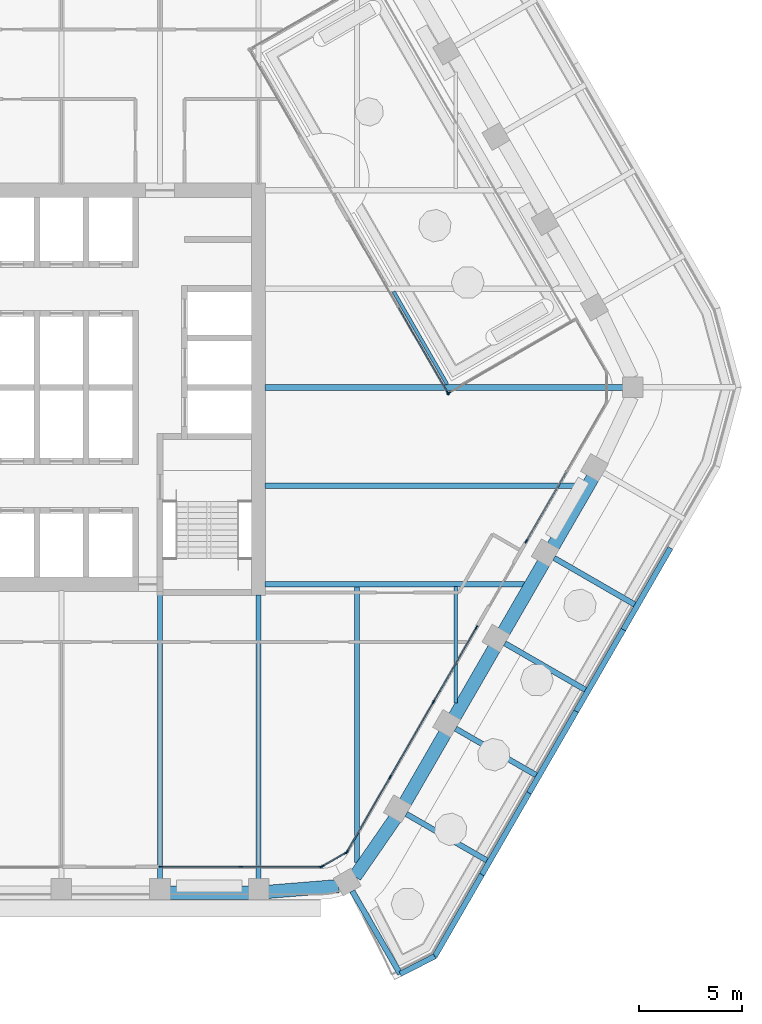
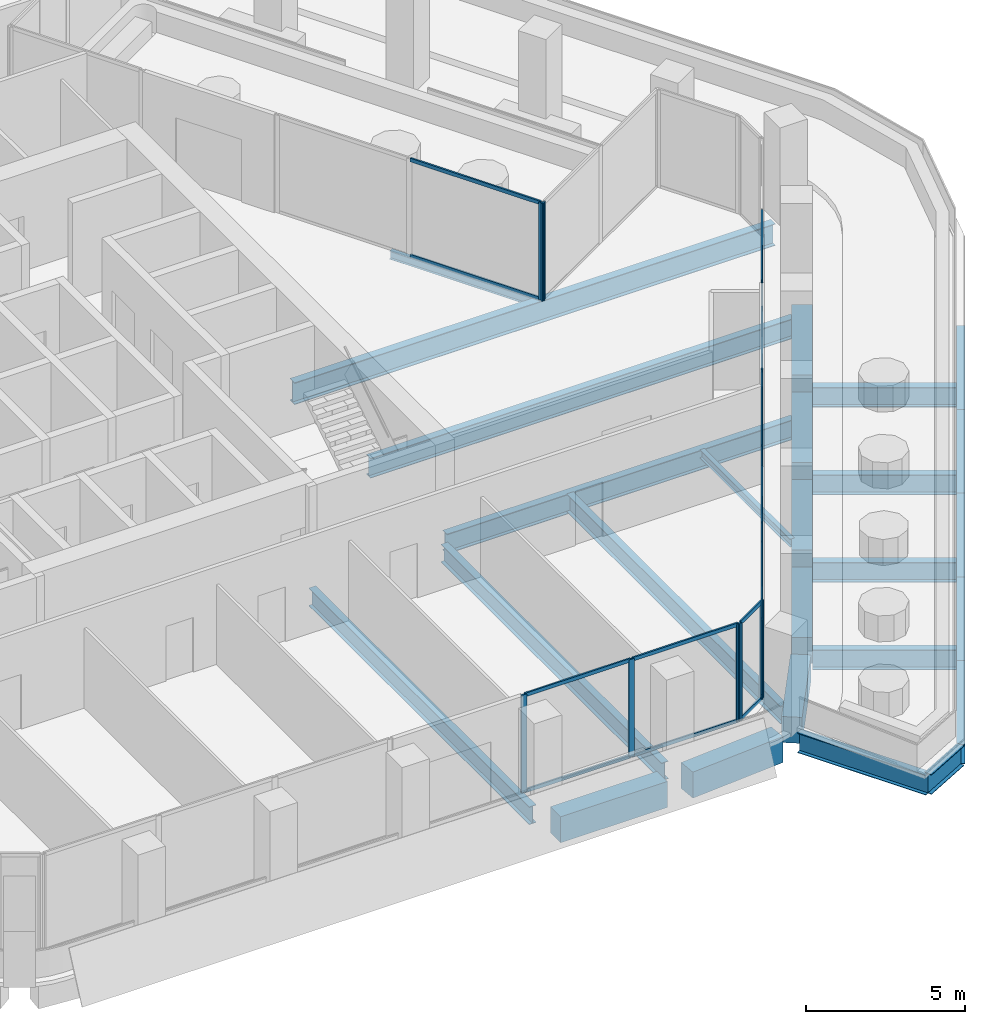
# One storey, part 4 of 17: 28 members, 26 beams, 6 elements without a shape of their own.
"""IFC4 building model written with IfcOpenShell, lengths in metres."""

from ifc_helpers import new_model, si_unit, direction, frame, origin, origin_2d, place, context, subcontext, project, spatial, rectangle, i_section, extrude, material, material_profile, profile_set, type_object, element, aggregate, save


model = new_model("IFC4")

# Units and contexts
model_context = context("Model", 3, precision=1e-05, world=origin(), true_north=direction((0.0, 1.0)))
body_context = subcontext(model_context, "Body", "Model", "MODEL_VIEW")
ifc_project = project(units=[si_unit("LENGTHUNIT", "METRE"), si_unit("AREAUNIT", "SQUARE_METRE"), si_unit("VOLUMEUNIT", "CUBIC_METRE"), si_unit("PLANEANGLEUNIT", "RADIAN"), si_unit("MASSUNIT", "GRAM", prefix="KILO")], contexts=[model_context])

# Site, building, storey
site_placement = place(None, origin())
site = spatial("IfcSite", under=ifc_project, at=site_placement, CompositionType="ELEMENT")
building_placement = place(site_placement, origin())
building = spatial("IfcBuilding", under=site, at=building_placement, Name="Kolab Exchange Tower", CompositionType="ELEMENT")
storey_placement = place(building_placement, frame((0.0, 0.0, 181.699951171875)))
storey = spatial("IfcBuildingStorey", under=building, at=storey_placement, Name="L38", CompositionType="ELEMENT", Elevation=181.699951171875)

# Beams
ifc_material_1 = material(Name="Steel S355", Category="steel")
ifc_material_profile_1 = material_profile(ifc_material_1, i_section(OverallWidth=0.1650390625, OverallDepth=0.31005859375, WebThickness=0.005859375, FlangeThickness=0.009765625, at=origin_2d()), Name="W310X39")
ifc_profile_set_1 = profile_set([ifc_material_profile_1], Name="Steel S355")
beam_type_1 = type_object("IfcBeamType", Name="FLOOR BEAM W310X39", PredefinedType="BEAM", material=ifc_profile_set_1)
beam_1_placement = place(storey_placement, frame((16.18115234375, 4.66650390625, -0.304931640625), z_axis=(0.499992367345, -0.866029810455, 0.0), x_axis=(0.866029810455, 0.499992367345, 0.0)))
element("IfcBeam", 1, at=beam_1_placement, inside=storey, type_object=beam_type_1, Name="beam/L38/fr/024", PredefinedType="BEAM", context=body_context, shape_type="SweptSolid", body=[
    extrude(i_section(OverallWidth=0.1650390625, OverallDepth=0.31005859375, WebThickness=0.005859375, FlangeThickness=0.009765625, at=origin_2d()), origin(), (0.0, 0.0, 1.0), 5.2197265625),
])
beam_2_placement = place(storey_placement, frame((19.199951171875, -15.36767578125, -0.304931640625), z_axis=(0.0, 1.0, 0.0), x_axis=(-1.0, 0.0, 0.0)))
element("IfcBeam", 2, at=beam_2_placement, inside=storey, type_object=beam_type_1, Name="beam/L38/fr/025", PredefinedType="BEAM", context=body_context, shape_type="SweptSolid", body=[
    extrude(i_section(OverallWidth=0.1650390625, OverallDepth=0.31005859375, WebThickness=0.005859375, FlangeThickness=0.009765625, at=origin_2d()), origin(), (0.0, 0.0, 1.0), 5.674072265625),
])
ifc_material_profile_2 = material_profile(ifc_material_1, i_section(OverallWidth=0.25390625, OverallDepth=0.68408203125, WebThickness=0.012451171875, FlangeThickness=0.018798828125, at=origin_2d()), Name="W690X140")
ifc_profile_set_2 = profile_set([ifc_material_profile_2], Name="Steel S355")
beam_type_2 = type_object("IfcBeamType", Name="FLOOR BEAM W690X140", PredefinedType="BEAM", material=ifc_profile_set_2)
for number, where, z_axis, x_axis, name in (
    (3, (4.800048828125, -23.9814453125, -0.491943359375), (0.0, 1.0, 0.0), (-1.0, 0.0, 0.0), "beam/L38/fr/013"),
    (4, (9.60009765625, -23.9814453125, -0.491943359375), (0.0, 1.0, 0.0), (-1.0, 0.0, 0.0), "beam/L38/fr/015"),
):
    element("IfcBeam", number, at=place(storey_placement, frame(where, z_axis=z_axis, x_axis=x_axis)), inside=storey, type_object=beam_type_2, Name=name, PredefinedType="BEAM", context=body_context, shape_type="SweptSolid", body=[
        extrude(i_section(OverallWidth=0.25390625, OverallDepth=0.68408203125, WebThickness=0.012451171875, FlangeThickness=0.018798828125, at=origin_2d()), origin(), (0.0, 0.0, 1.0), 13.871337890625),
    ])
beam_3_placement = place(storey_placement, frame((14.39990234375, -23.15576171875, -0.491943359375), z_axis=(0.0, 1.0, 0.0), x_axis=(-1.0, 0.0, 0.0)))
element("IfcBeam", 5, at=beam_3_placement, inside=storey, type_object=beam_type_2, Name="beam/L38/fr/022", PredefinedType="BEAM", context=body_context, shape_type="SweptSolid", body=[
    extrude(i_section(OverallWidth=0.25390625, OverallDepth=0.68408203125, WebThickness=0.012451171875, FlangeThickness=0.018798828125, at=origin_2d()), origin(), (0.0, 0.0, 1.0), 13.462158203125),
])
ifc_material_profile_3 = material_profile(ifc_material_1, i_section(OverallWidth=0.26708984375, OverallDepth=0.761962890625, WebThickness=0.014404296875, FlangeThickness=0.021484375, at=origin_2d()), Name="W760X173")
ifc_profile_set_3 = profile_set([ifc_material_profile_3], Name="Steel S355")
beam_type_3 = type_object("IfcBeamType", Name="FLOOR BEAM W760X173", PredefinedType="BEAM", material=ifc_profile_set_3)
beam_4_placement = place(storey_placement, frame((9.909912109375, -4.800048828125, -0.531005859375), z_axis=(1.0, 0.0, 0.0), x_axis=(0.0, 1.0, 0.0)))
element("IfcBeam", 6, at=beam_4_placement, inside=storey, type_object=beam_type_3, Name="beam/L38/fr/018", PredefinedType="BEAM", context=body_context, shape_type="SweptSolid", body=[
    extrude(i_section(OverallWidth=0.26708984375, OverallDepth=0.761962890625, WebThickness=0.014404296875, FlangeThickness=0.021484375, at=origin_2d()), origin(), (0.0, 0.0, 1.0), 15.408203125),
])
ifc_material_profile_4 = material_profile(ifc_material_1, i_section(OverallWidth=0.2919921875, OverallDepth=0.840087890625, WebThickness=0.0146484375, FlangeThickness=0.021728515625, at=origin_2d()), Name="W840X193")
ifc_profile_set_4 = profile_set([ifc_material_profile_4], Name="Steel S355")
beam_type_4 = type_object("IfcBeamType", Name="FLOOR BEAM W840X193", PredefinedType="BEAM", material=ifc_profile_set_4)
beam_5_placement = place(storey_placement, frame((9.909912109375, 0.0, -0.570068359375), z_axis=(1.0, 0.0, 0.0), x_axis=(0.0, 1.0, 0.0)))
element("IfcBeam", 7, at=beam_5_placement, inside=storey, type_object=beam_type_4, Name="beam/L38/fr/019", PredefinedType="BEAM", context=body_context, shape_type="SweptSolid", body=[
    extrude(i_section(OverallWidth=0.2919921875, OverallDepth=0.840087890625, WebThickness=0.0146484375, FlangeThickness=0.021728515625, at=origin_2d()), origin(), (0.0, 0.0, 1.0), 17.466064453125),
])
ifc_material_profile_5 = material_profile(ifc_material_1, i_section(OverallWidth=0.26708984375, OverallDepth=0.761962890625, WebThickness=0.014404296875, FlangeThickness=0.021484375, at=origin_2d()), Name="W760X173")
ifc_profile_set_5 = profile_set([ifc_material_profile_5], Name="Steel S355")
beam_type_5 = type_object("IfcBeamType", Name="FLOOR GIRDER W760X173", PredefinedType="BEAM", material=ifc_profile_set_5)
beam_6_placement = place(storey_placement, frame((9.909912109375, -9.60009765625, -0.531005859375), z_axis=(1.0, 0.0, 0.0), x_axis=(0.0, 1.0, 0.0)))
element("IfcBeam", 8, at=beam_6_placement, inside=storey, type_object=beam_type_5, Name="beam/L38/gd/002", PredefinedType="BEAM", context=body_context, shape_type="SweptSolid", body=[
    extrude(i_section(OverallWidth=0.26708984375, OverallDepth=0.761962890625, WebThickness=0.014404296875, FlangeThickness=0.021484375, at=origin_2d()), origin(), (0.0, 0.0, 1.0), 12.636962890625),
])
beam_7_placement = place(storey_placement, frame((24.0, -8.313720703125, -0.591064453125), z_axis=(0.866020560687, -0.500008388397, 0.0), x_axis=(0.500008388397, 0.866020560687, 0.0)))
element("IfcBeam", 9, at=beam_7_placement, inside=storey, type_object=beam_type_5, Name="beam/L38/ledge/rib-08", PredefinedType="BEAM", context=body_context, shape_type="SweptSolid", body=[
    extrude(i_section(OverallWidth=0.26708984375, OverallDepth=0.761962890625, WebThickness=0.014404296875, FlangeThickness=0.021484375, at=origin_2d()), origin(), (0.0, 0.0, 1.0), 4.533203125),
])
beam_8_placement = place(storey_placement, frame((21.60009765625, -12.470703125, -0.591064453125), z_axis=(0.866007095043, -0.500031710329, 0.0), x_axis=(0.500031710329, 0.866007095043, 0.0)))
element("IfcBeam", 10, at=beam_8_placement, inside=storey, type_object=beam_type_5, Name="beam/L38/ledge/rib-09", PredefinedType="BEAM", context=body_context, shape_type="SweptSolid", body=[
    extrude(i_section(OverallWidth=0.26708984375, OverallDepth=0.761962890625, WebThickness=0.014404296875, FlangeThickness=0.021484375, at=origin_2d()), origin(), (0.0, 0.0, 1.0), 4.532958984375),
])
beam_9_placement = place(storey_placement, frame((19.199951171875, -16.627685546875, -0.591064453125), z_axis=(0.866020560687, -0.500008388397, 0.0), x_axis=(0.500008388397, 0.866020560687, 0.0)))
element("IfcBeam", 11, at=beam_9_placement, inside=storey, type_object=beam_type_5, Name="beam/L38/ledge/rib-10", PredefinedType="BEAM", context=body_context, shape_type="SweptSolid", body=[
    extrude(i_section(OverallWidth=0.26708984375, OverallDepth=0.761962890625, WebThickness=0.014404296875, FlangeThickness=0.021484375, at=origin_2d()), origin(), (0.0, 0.0, 1.0), 4.533203125),
])
beam_10_placement = place(storey_placement, frame((16.800048828125, -20.78466796875, -0.591064453125), z_axis=(0.866030417568, -0.499991315771, 0.0), x_axis=(0.499991315771, 0.866030417568, 0.0)))
element("IfcBeam", 12, at=beam_10_placement, inside=storey, type_object=beam_type_5, Name="beam/L38/ledge/rib-11", PredefinedType="BEAM", context=body_context, shape_type="SweptSolid", body=[
    extrude(i_section(OverallWidth=0.26708984375, OverallDepth=0.761962890625, WebThickness=0.014404296875, FlangeThickness=0.021484375, at=origin_2d()), origin(), (0.0, 0.0, 1.0), 4.53271484375),
])
beam_11_placement = place(storey_placement, frame((14.16796875, -24.53955078125, -0.591064453125), z_axis=(0.500004747635, -0.866022662719, 0.0), x_axis=(0.866022662719, 0.500004747635, 0.0)))
element("IfcBeam", 13, at=beam_11_placement, inside=storey, type_object=beam_type_5, Name="beam/L38/ledge/rib-12", PredefinedType="BEAM", context=body_context, shape_type="SweptSolid", body=[
    extrude(i_section(OverallWidth=0.26708984375, OverallDepth=0.761962890625, WebThickness=0.014404296875, FlangeThickness=0.021484375, at=origin_2d()), origin(), (0.0, 0.0, 1.0), 4.66650390625),
])
for number, where, z_axis, x_axis, name in (
    (14, (29.669677734375, -7.82666015625, -0.591064453125), (-0.500003083703, -0.8660236234, 0.0), (0.8660236234, -0.500003083703, 0.0), "beam/L38/ledge/edge-10"),
    (15, (27.372802734375, -11.804931640625, -0.591064453125), (-0.500003083703, -0.8660236234, 0.0), (0.8660236234, -0.500003083703, 0.0), "beam/L38/ledge/edge-11"),
    (16, (25.075927734375, -15.783203125, -0.591064453125), (-0.500003083703, -0.8660236234, 0.0), (0.8660236234, -0.500003083703, 0.0), "beam/L38/ledge/edge-12"),
):
    element("IfcBeam", number, at=place(storey_placement, frame(where, z_axis=z_axis, x_axis=x_axis)), inside=storey, type_object=beam_type_5, Name=name, PredefinedType="BEAM", context=body_context, shape_type="SweptSolid", body=[
        extrude(i_section(OverallWidth=0.26708984375, OverallDepth=0.761962890625, WebThickness=0.014404296875, FlangeThickness=0.021484375, at=origin_2d()), origin(), (0.0, 0.0, 1.0), 4.59375),
    ])
beam_12_placement = place(storey_placement, frame((22.779052734375, -19.761474609375, -0.591064453125), z_axis=(-0.499963222339, -0.866046636336, 0.0), x_axis=(0.866046636336, -0.499963222339, 0.0)))
element("IfcBeam", 17, at=beam_12_placement, inside=storey, type_object=beam_type_5, Name="beam/L38/ledge/edge-13", PredefinedType="BEAM", context=body_context, shape_type="SweptSolid", body=[
    extrude(i_section(OverallWidth=0.26708984375, OverallDepth=0.761962890625, WebThickness=0.014404296875, FlangeThickness=0.021484375, at=origin_2d()), origin(), (0.0, 0.0, 1.0), 4.593505859375),
])
beam_13_placement = place(storey_placement, frame((20.482421875, -23.73974609375, -0.591064453125), z_axis=(-0.500003083703, -0.8660236234, 0.0), x_axis=(0.8660236234, -0.500003083703, 0.0)))
element("IfcBeam", 18, at=beam_13_placement, inside=storey, type_object=beam_type_5, Name="beam/L38/ledge/edge-14", PredefinedType="BEAM", context=body_context, shape_type="SweptSolid", body=[
    extrude(i_section(OverallWidth=0.26708984375, OverallDepth=0.761962890625, WebThickness=0.014404296875, FlangeThickness=0.021484375, at=origin_2d()), origin(), (0.0, 0.0, 1.0), 4.59375),
])
beam_14_placement = place(storey_placement, frame((18.185546875, -27.718017578125, -0.591064453125), z_axis=(-0.889971862799, -0.456015442092, 0.0), x_axis=(0.456015442092, -0.889971862799, 0.0)))
element("IfcBeam", 19, at=beam_14_placement, inside=storey, type_object=beam_type_5, Name="beam/L38/ledge/edge-15", PredefinedType="BEAM", context=body_context, shape_type="SweptSolid", body=[
    extrude(i_section(OverallWidth=0.26708984375, OverallDepth=0.761962890625, WebThickness=0.014404296875, FlangeThickness=0.021484375, at=origin_2d()), origin(), (0.0, 0.0, 1.0), 1.892578125),
])
ifc_material_2 = material(Name="Concrete C60/75", Category="concrete")
ifc_material_profile_6 = material_profile(ifc_material_2, rectangle(XDim=0.64990234375, YDim=1.0, at=origin_2d()), Name="RC650X1000")
ifc_profile_set_6 = profile_set([ifc_material_profile_6], Name="Concrete C60/75")
beam_type_6 = type_object("IfcBeamType", Name="SPANDREL BEAM 650X1000 C60/75", PredefinedType="BEAM", material=ifc_profile_set_6)
for number, where, z_axis, x_axis, name in (
    (20, (25.888427734375, -4.392822265625, -0.64990234375), (-0.499996613652, -0.866027358884, 0.0), (0.866027358884, -0.499996613652, 0.0), "beam/L38/sp/F3-02"),
    (21, (23.488525390625, -8.5498046875, -0.64990234375), (-0.499996613652, -0.866027358884, 0.0), (0.866027358884, -0.499996613652, 0.0), "beam/L38/sp/F3-03"),
):
    element("IfcBeam", number, at=place(storey_placement, frame(where, z_axis=z_axis, x_axis=x_axis)), inside=storey, type_object=beam_type_6, Name=name, PredefinedType="BEAM", context=body_context, shape_type="SweptSolid", body=[
        extrude(rectangle(XDim=0.64990234375, YDim=1.0, at=origin_2d()), origin(), (0.0, 0.0, 1.0), 3.8798828125),
    ])
beam_15_placement = place(storey_placement, frame((21.088623046875, -12.70654296875, -0.64990234375), z_axis=(-0.50001655835, -0.866015843605, 0.0), x_axis=(0.866015843605, -0.50001655835, 0.0)))
element("IfcBeam", 22, at=beam_15_placement, inside=storey, type_object=beam_type_6, Name="beam/L38/sp/F3-04", PredefinedType="BEAM", context=body_context, shape_type="SweptSolid", body=[
    extrude(rectangle(XDim=0.64990234375, YDim=1.0, at=origin_2d()), origin(), (0.0, 0.0, 1.0), 3.880126953125),
])
beam_16_placement = place(storey_placement, frame((18.6884765625, -16.863525390625, -0.64990234375), z_axis=(-0.499996613652, -0.866027358884, 0.0), x_axis=(0.866027358884, -0.499996613652, 0.0)))
element("IfcBeam", 23, at=beam_16_placement, inside=storey, type_object=beam_type_6, Name="beam/L38/sp/F3-05", PredefinedType="BEAM", context=body_context, shape_type="SweptSolid", body=[
    extrude(rectangle(XDim=0.64990234375, YDim=1.0, at=origin_2d()), origin(), (0.0, 0.0, 1.0), 3.8798828125),
])
for number, where, z_axis, x_axis, name in (
    (24, (16.256103515625, -21.001953125, -0.64990234375), (-0.568572281073, -0.822633309073, 0.0), (0.822633309073, -0.568572281073, 0.0), "beam/L38/sp/F3-06"),
    (25, (13.493896484375, -24.2998046875, -0.64990234375), (-0.996708497182, -0.081068931445, 0.0), (0.081068931445, -0.996708497182, 0.0), "beam/L38/sp/F4-01"),
):
    element("IfcBeam", number, at=place(storey_placement, frame(where, z_axis=z_axis, x_axis=x_axis)), inside=storey, type_object=beam_type_6, Name=name, PredefinedType="BEAM", context=body_context, shape_type="SweptSolid", body=[
        extrude(rectangle(XDim=0.64990234375, YDim=1.0, at=origin_2d()), origin(), (0.0, 0.0, 1.0), 3.445068359375),
    ])
beam_17_placement = place(storey_placement, frame((9.139892578125, -24.616455078125, -0.64990234375), z_axis=(-1.0, 0.0, 0.0), x_axis=(0.0, -1.0, 0.0)))
element("IfcBeam", 26, at=beam_17_placement, inside=storey, type_object=beam_type_6, Name="beam/L38/sp/F4-02", PredefinedType="BEAM", context=body_context, shape_type="SweptSolid", body=[
    extrude(rectangle(XDim=0.64990234375, YDim=1.0, at=origin_2d()), origin(), (0.0, 0.0, 1.0), 3.8798828125),
])

# Curtain wall, member
ifc_material_3 = material(Name="Aluminium EN AW-6063 T6", Category="aluminium")
curtain_wall_type = type_object("IfcCurtainWallType", Name="UNITISED UPPER MID ZONE CURTAIN WALL", PredefinedType="NOTDEFINED", material=ifc_material_3)
curtain_wall_1_placement = place(storey_placement, origin())
curtain_wall_1 = element("IfcCurtainWall", 27, at=curtain_wall_1_placement, inside=storey, type_object=curtain_wall_type, Name="cw/L38/F2-back-2", PredefinedType="NOTDEFINED")
ifc_material_profile_7 = material_profile(ifc_material_3, rectangle(XDim=0.06005859375, YDim=0.199951171875, at=origin_2d()), Name="RECT 60X200")
ifc_profile_set_7 = profile_set([ifc_material_profile_7], Name="Aluminium EN AW-6063 T6")
member_type_1 = type_object("IfcMemberType", Name="UNITISED UPPER MID ZONE MULLION 60 X 200", PredefinedType="MULLION", material=ifc_profile_set_7)
member_1_placement = place(storey_placement, frame((18.8212890625, -0.2763671875, 0.0), z_axis=(0.0, 0.0, 1.0), x_axis=(0.866025406141, 0.499999995919, 0.0)))
member_1 = element("IfcMember", 28, at=member_1_placement, type_object=member_type_1, Name="CW3 mullion 3", PredefinedType="MULLION", context=body_context, shape_type="SweptSolid", body=[
    extrude(rectangle(XDim=0.06005859375, YDim=0.199951171875, at=origin_2d()), origin(), (0.0, 0.0, 1.0), 3.75),
])

curtain_wall_2_placement = place(storey_placement, origin())
curtain_wall_2 = element("IfcCurtainWall", 29, at=curtain_wall_2_placement, inside=storey, type_object=curtain_wall_type, Name="cw/L38/F2-rr-1", PredefinedType="NOTDEFINED")
member_2_placement = place(storey_placement, frame((18.8623046875, -0.287353515625, 0.0), z_axis=(0.0, 0.0, 1.0), x_axis=(-0.499999994423, 0.866025407005, 0.0)))
member_2 = element("IfcMember", 30, at=member_2_placement, type_object=member_type_1, Name="CW3 mullion 1", PredefinedType="MULLION", context=body_context, shape_type="SweptSolid", body=[
    extrude(rectangle(XDim=0.06005859375, YDim=0.199951171875, at=origin_2d()), origin(), (0.0, 0.0, 1.0), 3.75),
])
aggregate(curtain_wall_2, [member_2])

curtain_wall_3_placement = place(storey_placement, origin())
curtain_wall_3 = element("IfcCurtainWall", 31, at=curtain_wall_3_placement, inside=storey, type_object=curtain_wall_type, Name="cw/L38/F3-1", PredefinedType="NOTDEFINED")
member_3_placement = place(storey_placement, frame((22.646728515625, -7.497802734375, 0.0), z_axis=(0.0, 0.0, 1.0), x_axis=(0.866025440524, -0.499999936366, 0.0)))
member_3 = element("IfcMember", 32, at=member_3_placement, type_object=member_type_1, Name="CW3 mullion 3", PredefinedType="MULLION", context=body_context, shape_type="SweptSolid", body=[
    extrude(rectangle(XDim=0.06005859375, YDim=0.199951171875, at=origin_2d()), origin(), (0.0, 0.0, 1.0), 3.75),
])

# Curtain wall, members
curtain_wall_4_placement = place(storey_placement, origin())
curtain_wall_4 = element("IfcCurtainWall", 33, at=curtain_wall_4_placement, inside=storey, type_object=curtain_wall_type, Name="cw/L38/F3-2", PredefinedType="NOTDEFINED")
member_4_placement = place(storey_placement, frame((20.216796875, -11.706787109375, 0.0), z_axis=(0.0, 0.0, 1.0), x_axis=(0.866025393644, -0.500000017564, 0.0)))
member_4 = element("IfcMember", 34, at=member_4_placement, type_object=member_type_1, Name="CW3 mullion 1", PredefinedType="MULLION", context=body_context, shape_type="SweptSolid", body=[
    extrude(rectangle(XDim=0.06005859375, YDim=0.199951171875, at=origin_2d()), origin(), (0.0, 0.0, 1.0), 3.75),
])
member_5_placement = place(storey_placement, frame((18.120361328125, -15.337646484375, 0.0), z_axis=(0.0, 0.0, 1.0), x_axis=(0.866025393644, -0.500000017564, 0.0)))
member_5 = element("IfcMember", 35, at=member_5_placement, type_object=member_type_1, Name="CW3 mullion 2", PredefinedType="MULLION", context=body_context, shape_type="SweptSolid", body=[
    extrude(rectangle(XDim=0.06005859375, YDim=0.199951171875, at=origin_2d()), origin(), (0.0, 0.0, 1.0), 3.75),
])
member_6_placement = place(storey_placement, frame((16.009033203125, -18.99462890625, 0.0), z_axis=(0.0, 0.0, 1.0), x_axis=(0.866025393644, -0.500000017564, 0.0)))
member_6 = element("IfcMember", 36, at=member_6_placement, type_object=member_type_1, Name="CW3 mullion 3", PredefinedType="MULLION", context=body_context, shape_type="SweptSolid", body=[
    extrude(rectangle(XDim=0.06005859375, YDim=0.199951171875, at=origin_2d()), origin(), (0.0, 0.0, 1.0), 3.75),
])
member_7_placement = place(storey_placement, frame((13.91259765625, -22.62548828125, 0.0), z_axis=(0.0, 0.0, 1.0), x_axis=(0.866025393644, -0.500000017564, 0.0)))
member_7 = element("IfcMember", 37, at=member_7_placement, type_object=member_type_1, Name="CW3 mullion 4", PredefinedType="MULLION", context=body_context, shape_type="SweptSolid", body=[
    extrude(rectangle(XDim=0.06005859375, YDim=0.199951171875, at=origin_2d()), origin(), (0.0, 0.0, 1.0), 3.75),
])

curtain_wall_5_placement = place(storey_placement, origin())
curtain_wall_5 = element("IfcCurtainWall", 38, at=curtain_wall_5_placement, inside=storey, type_object=curtain_wall_type, Name="cw/L38/F4-1", PredefinedType="NOTDEFINED")
member_8_placement = place(storey_placement, frame((12.637939453125, -23.361572265625, 0.0), z_axis=(0.0, 0.0, 1.0), x_axis=(0.0, -1.0, 0.0)))
member_8 = element("IfcMember", 39, at=member_8_placement, type_object=member_type_1, Name="CW3 mullion 1", PredefinedType="MULLION", context=body_context, shape_type="SweptSolid", body=[
    extrude(rectangle(XDim=0.06005859375, YDim=0.199951171875, at=origin_2d()), origin(), (0.0, 0.0, 1.0), 3.75),
])
member_9_placement = place(storey_placement, frame((8.73388671875, -23.361572265625, 0.0), z_axis=(0.0, 0.0, 1.0), x_axis=(0.0, -1.0, 0.0)))
member_9 = element("IfcMember", 40, at=member_9_placement, type_object=member_type_1, Name="CW3 mullion 2", PredefinedType="MULLION", context=body_context, shape_type="SweptSolid", body=[
    extrude(rectangle(XDim=0.06005859375, YDim=0.199951171875, at=origin_2d()), origin(), (0.0, 0.0, 1.0), 3.75),
])
member_10_placement = place(storey_placement, frame((4.830078125, -23.361572265625, 0.0), z_axis=(0.0, 0.0, 1.0), x_axis=(0.0, -1.0, 0.0)))
member_10 = element("IfcMember", 41, at=member_10_placement, type_object=member_type_1, Name="CW3 mullion 3", PredefinedType="MULLION", context=body_context, shape_type="SweptSolid", body=[
    extrude(rectangle(XDim=0.06005859375, YDim=0.199951171875, at=origin_2d()), origin(), (0.0, 0.0, 1.0), 3.75),
])

curtain_wall_6_placement = place(storey_placement, origin())
curtain_wall_6 = element("IfcCurtainWall", 42, at=curtain_wall_6_placement, inside=storey, type_object=curtain_wall_type, Name="cw/L38/F3F4-corner", PredefinedType="NOTDEFINED")
member_11_placement = place(storey_placement, frame((13.871826171875, -22.66650390625, 0.0), z_axis=(0.0, 0.0, 1.0), x_axis=(0.50000002237, -0.866025390869, 0.0)))
member_11 = element("IfcMember", 43, at=member_11_placement, type_object=member_type_1, Name="CW3 mullion 1", PredefinedType="MULLION", context=body_context, shape_type="SweptSolid", body=[
    extrude(rectangle(XDim=0.06005859375, YDim=0.199951171875, at=origin_2d()), origin(), (0.0, 0.0, 1.0), 3.75),
])
member_12_placement = place(storey_placement, frame((12.69384765625, -23.346435546875, 0.0), z_axis=(0.0, 0.0, 1.0), x_axis=(0.50000002237, -0.866025390869, 0.0)))
member_12 = element("IfcMember", 44, at=member_12_placement, type_object=member_type_1, Name="CW3 mullion 2", PredefinedType="MULLION", context=body_context, shape_type="SweptSolid", body=[
    extrude(rectangle(XDim=0.06005859375, YDim=0.199951171875, at=origin_2d()), origin(), (0.0, 0.0, 1.0), 3.75),
])

# Member
ifc_material_profile_8 = material_profile(ifc_material_3, rectangle(XDim=0.06005859375, YDim=0.139892578125, at=origin_2d()), Name="RECT 60X140")
ifc_profile_set_8 = profile_set([ifc_material_profile_8], Name="Aluminium EN AW-6063 T6")
member_type_2 = type_object("IfcMemberType", Name="UNITISED UPPER MID ZONE TRANSOM 60 X 140", PredefinedType="USERDEFINED", material=ifc_profile_set_8)
member_13_placement = place(storey_placement, frame((16.431396484375, 3.86328125, 0.030029296875), z_axis=(0.499986429846, -0.866033238375, 0.0), x_axis=(0.866033238375, 0.499986429846, 0.0)))
member_13 = element("IfcMember", 45, at=member_13_placement, type_object=member_type_2, Name="CW3 transom 2.1", ObjectType="TRANSOM", PredefinedType="USERDEFINED", context=body_context, shape_type="SweptSolid", body=[
    extrude(rectangle(XDim=0.06005859375, YDim=0.139892578125, at=origin_2d()), origin(), (0.0, 0.0, 1.0), 4.750244140625),
])

member_14_placement = place(storey_placement, frame((16.431396484375, 3.86328125, 3.719970703125), z_axis=(0.499986429846, -0.866033238375, 0.0), x_axis=(0.866033238375, 0.499986429846, 0.0)))
member_14 = element("IfcMember", 46, at=member_14_placement, type_object=member_type_2, Name="CW3 transom 2.2", ObjectType="TRANSOM", PredefinedType="USERDEFINED", context=body_context, shape_type="SweptSolid", body=[
    extrude(rectangle(XDim=0.06005859375, YDim=0.139892578125, at=origin_2d()), origin(), (0.0, 0.0, 1.0), 4.750244140625),
])

aggregate(curtain_wall_1, [member_1, member_13, member_14])

member_15_placement = place(storey_placement, frame((24.583740234375, -4.142822265625, 0.030029296875), z_axis=(-0.500011990396, -0.866018481016, 0.0), x_axis=(0.866018481016, -0.500011990396, 0.0)))
member_15 = element("IfcMember", 47, at=member_15_placement, type_object=member_type_2, Name="CW3 transom 2.1", ObjectType="TRANSOM", PredefinedType="USERDEFINED", context=body_context, shape_type="SweptSolid", body=[
    extrude(rectangle(XDim=0.06005859375, YDim=0.139892578125, at=origin_2d()), origin(), (0.0, 0.0, 1.0), 3.84423828125),
])

member_16_placement = place(storey_placement, frame((24.583740234375, -4.142822265625, 3.719970703125), z_axis=(-0.500011990396, -0.866018481016, 0.0), x_axis=(0.866018481016, -0.500011990396, 0.0)))
member_16 = element("IfcMember", 48, at=member_16_placement, type_object=member_type_2, Name="CW3 transom 2.2", ObjectType="TRANSOM", PredefinedType="USERDEFINED", context=body_context, shape_type="SweptSolid", body=[
    extrude(rectangle(XDim=0.06005859375, YDim=0.139892578125, at=origin_2d()), origin(), (0.0, 0.0, 1.0), 3.84423828125),
])

aggregate(curtain_wall_3, [member_3, member_15, member_16])

member_17_placement = place(storey_placement, frame((20.20166015625, -11.732666015625, 0.030029296875), z_axis=(-0.500001996123, -0.866024251319, 0.0), x_axis=(0.866024251319, -0.500001996123, 0.0)))
member_17 = element("IfcMember", 49, at=member_17_placement, type_object=member_type_2, Name="CW3 transom 1.1", ObjectType="TRANSOM", PredefinedType="USERDEFINED", context=body_context, shape_type="SweptSolid", body=[
    extrude(rectangle(XDim=0.06005859375, YDim=0.139892578125, at=origin_2d()), origin(), (0.0, 0.0, 1.0), 4.1328125),
])

member_18_placement = place(storey_placement, frame((20.20166015625, -11.732666015625, 3.719970703125), z_axis=(-0.500001996123, -0.866024251319, 0.0), x_axis=(0.866024251319, -0.500001996123, 0.0)))
member_18 = element("IfcMember", 50, at=member_18_placement, type_object=member_type_2, Name="CW3 transom 1.2", ObjectType="TRANSOM", PredefinedType="USERDEFINED", context=body_context, shape_type="SweptSolid", body=[
    extrude(rectangle(XDim=0.06005859375, YDim=0.139892578125, at=origin_2d()), origin(), (0.0, 0.0, 1.0), 4.1328125),
])

member_19_placement = place(storey_placement, frame((18.10546875, -15.36376953125, 0.030029296875), z_axis=(-0.500037208726, -0.86600392025, 0.0), x_axis=(0.86600392025, -0.500037208726, 0.0)))
member_19 = element("IfcMember", 51, at=member_19_placement, type_object=member_type_2, Name="CW3 transom 2.1", ObjectType="TRANSOM", PredefinedType="USERDEFINED", context=body_context, shape_type="SweptSolid", body=[
    extrude(rectangle(XDim=0.06005859375, YDim=0.139892578125, at=origin_2d()), origin(), (0.0, 0.0, 1.0), 4.162841796875),
])

member_20_placement = place(storey_placement, frame((18.10546875, -15.36376953125, 3.719970703125), z_axis=(-0.500037208726, -0.86600392025, 0.0), x_axis=(0.86600392025, -0.500037208726, 0.0)))
member_20 = element("IfcMember", 52, at=member_20_placement, type_object=member_type_2, Name="CW3 transom 2.2", ObjectType="TRANSOM", PredefinedType="USERDEFINED", context=body_context, shape_type="SweptSolid", body=[
    extrude(rectangle(XDim=0.06005859375, YDim=0.139892578125, at=origin_2d()), origin(), (0.0, 0.0, 1.0), 4.162841796875),
])

member_21_placement = place(storey_placement, frame((15.994140625, -19.0205078125, 0.030029296875), z_axis=(-0.500001996123, -0.866024251319, 0.0), x_axis=(0.866024251319, -0.500001996123, 0.0)))
member_21 = element("IfcMember", 53, at=member_21_placement, type_object=member_type_2, Name="CW3 transom 3.1", ObjectType="TRANSOM", PredefinedType="USERDEFINED", context=body_context, shape_type="SweptSolid", body=[
    extrude(rectangle(XDim=0.06005859375, YDim=0.139892578125, at=origin_2d()), origin(), (0.0, 0.0, 1.0), 4.1328125),
])

member_22_placement = place(storey_placement, frame((15.994140625, -19.0205078125, 3.719970703125), z_axis=(-0.500001996123, -0.866024251319, 0.0), x_axis=(0.866024251319, -0.500001996123, 0.0)))
member_22 = element("IfcMember", 54, at=member_22_placement, type_object=member_type_2, Name="CW3 transom 3.2", ObjectType="TRANSOM", PredefinedType="USERDEFINED", context=body_context, shape_type="SweptSolid", body=[
    extrude(rectangle(XDim=0.06005859375, YDim=0.139892578125, at=origin_2d()), origin(), (0.0, 0.0, 1.0), 4.1328125),
])

aggregate(curtain_wall_4, [member_4, member_5, member_6, member_7, member_17, member_18, member_19, member_20, member_21, member_22])

member_23_placement = place(storey_placement, frame((12.60791015625, -23.361572265625, 0.030029296875), z_axis=(-1.0, 0.0, 0.0), x_axis=(0.0, -1.0, 0.0)))
member_23 = element("IfcMember", 55, at=member_23_placement, type_object=member_type_2, Name="CW3 transom 1.1", ObjectType="TRANSOM", PredefinedType="USERDEFINED", context=body_context, shape_type="SweptSolid", body=[
    extrude(rectangle(XDim=0.06005859375, YDim=0.139892578125, at=origin_2d()), origin(), (0.0, 0.0, 1.0), 3.843994140625),
])

member_24_placement = place(storey_placement, frame((12.60791015625, -23.361572265625, 3.719970703125), z_axis=(-1.0, 0.0, 0.0), x_axis=(0.0, -1.0, 0.0)))
member_24 = element("IfcMember", 56, at=member_24_placement, type_object=member_type_2, Name="CW3 transom 1.2", ObjectType="TRANSOM", PredefinedType="USERDEFINED", context=body_context, shape_type="SweptSolid", body=[
    extrude(rectangle(XDim=0.06005859375, YDim=0.139892578125, at=origin_2d()), origin(), (0.0, 0.0, 1.0), 3.843994140625),
])

member_25_placement = place(storey_placement, frame((8.703857421875, -23.361572265625, 0.030029296875), z_axis=(-1.0, 0.0, 0.0), x_axis=(0.0, -1.0, 0.0)))
member_25 = element("IfcMember", 57, at=member_25_placement, type_object=member_type_2, Name="CW3 transom 2.1", ObjectType="TRANSOM", PredefinedType="USERDEFINED", context=body_context, shape_type="SweptSolid", body=[
    extrude(rectangle(XDim=0.06005859375, YDim=0.139892578125, at=origin_2d()), origin(), (0.0, 0.0, 1.0), 3.84375),
])

member_26_placement = place(storey_placement, frame((8.703857421875, -23.361572265625, 3.719970703125), z_axis=(-1.0, 0.0, 0.0), x_axis=(0.0, -1.0, 0.0)))
member_26 = element("IfcMember", 58, at=member_26_placement, type_object=member_type_2, Name="CW3 transom 2.2", ObjectType="TRANSOM", PredefinedType="USERDEFINED", context=body_context, shape_type="SweptSolid", body=[
    extrude(rectangle(XDim=0.06005859375, YDim=0.139892578125, at=origin_2d()), origin(), (0.0, 0.0, 1.0), 3.84375),
])

aggregate(curtain_wall_5, [member_8, member_9, member_10, member_23, member_24, member_25, member_26])

member_27_placement = place(storey_placement, frame((13.845703125, -22.681640625, 0.030029296875), z_axis=(-0.86603858612, -0.49997716683, 0.0), x_axis=(0.49997716683, -0.86603858612, 0.0)))
member_27 = element("IfcMember", 59, at=member_27_placement, type_object=member_type_2, Name="CW3 transom 1.1", ObjectType="TRANSOM", PredefinedType="USERDEFINED", context=body_context, shape_type="SweptSolid", body=[
    extrude(rectangle(XDim=0.06005859375, YDim=0.139892578125, at=origin_2d()), origin(), (0.0, 0.0, 1.0), 1.2998046875),
])

member_28_placement = place(storey_placement, frame((13.845703125, -22.681640625, 3.719970703125), z_axis=(-0.86603858612, -0.49997716683, 0.0), x_axis=(0.49997716683, -0.86603858612, 0.0)))
member_28 = element("IfcMember", 60, at=member_28_placement, type_object=member_type_2, Name="CW3 transom 1.2", ObjectType="TRANSOM", PredefinedType="USERDEFINED", context=body_context, shape_type="SweptSolid", body=[
    extrude(rectangle(XDim=0.06005859375, YDim=0.139892578125, at=origin_2d()), origin(), (0.0, 0.0, 1.0), 1.2998046875),
])

aggregate(curtain_wall_6, [member_11, member_12, member_27, member_28])

save(model, "model.ifc")
